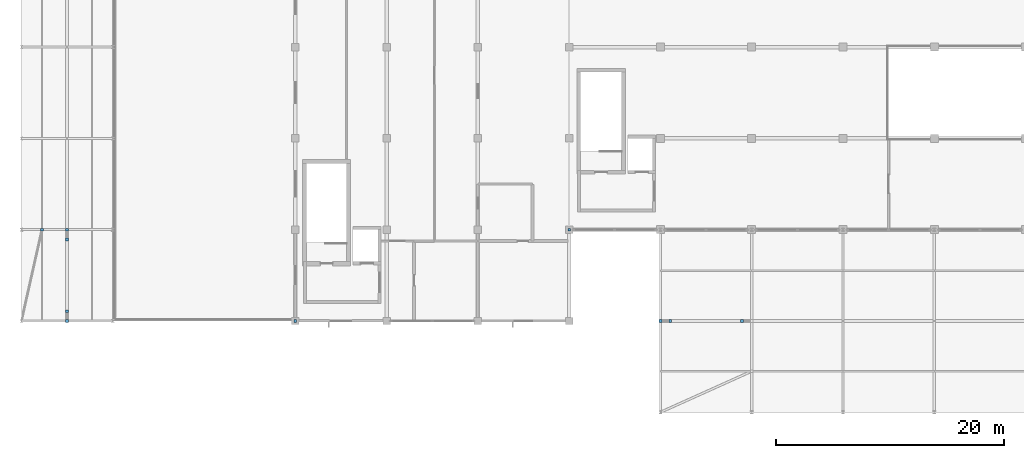
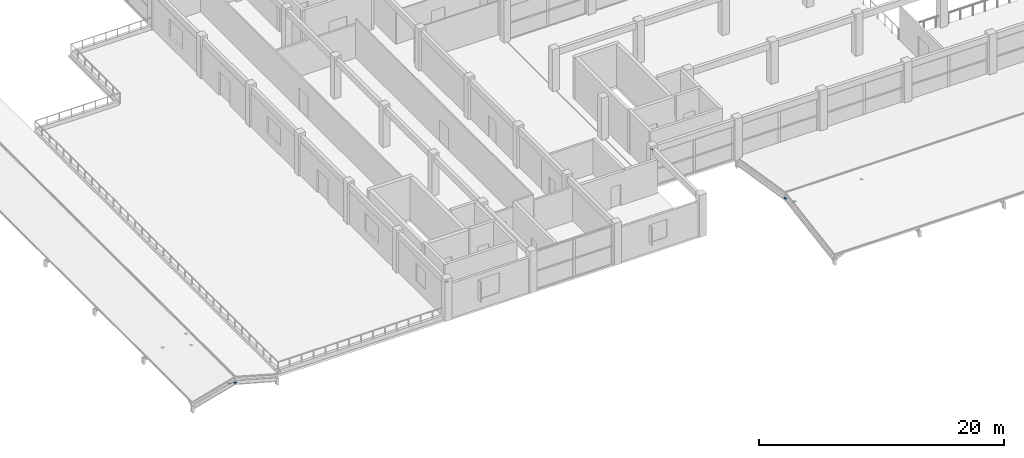
# One storey, part 51 of 67: 10 discrete accessories.
"""IFC4 building model written with IfcOpenShell, lengths in metres."""

from ifc_helpers import new_model, si_unit, direction, frame, origin, origin_2d, place, context, subcontext, project, spatial, rectangle, extrude, material, type_object, element, save


model = new_model("IFC4")

# Units and contexts
model_context = context("Model", 3, precision=1e-05, world=origin(), true_north=direction((0.0, 1.0)))
body_context = subcontext(model_context, "Body", "Model", "MODEL_VIEW")
ifc_project = project(units=[si_unit("LENGTHUNIT", "METRE"), si_unit("AREAUNIT", "SQUARE_METRE"), si_unit("VOLUMEUNIT", "CUBIC_METRE"), si_unit("PLANEANGLEUNIT", "RADIAN"), si_unit("MASSUNIT", "GRAM", prefix="KILO")], contexts=[model_context])

# Site, building, storey
site_placement = place(None, origin())
site = spatial("IfcSite", under=ifc_project, at=site_placement, CompositionType="ELEMENT")
building_placement = place(site_placement, origin())
building = spatial("IfcBuilding", under=site, at=building_placement, Name="Kenh Van Central Station", CompositionType="ELEMENT")
storey_placement = place(building_placement, frame((0.0, 0.0, 10.800048828125)))
storey = spatial("IfcBuildingStorey", under=building, at=storey_placement, Name="L02", CompositionType="ELEMENT", Elevation=10.800048828125)

# Discrete accessories
ifc_material = material(Name="Structural steel S355JR", Category="steel")
discrete_accessory_type = type_object("IfcDiscreteAccessoryType", Name="ACC-END-NODE", PredefinedType="BRACKET", material=ifc_material)
for number, where, z_axis, x_axis, name in (
    (1, (56.85009765625, 8.0, 0.222412109375), (0.0, 0.0, 1.0), (1.0, 0.0, 0.0), "L02 brace end connection node plate 0314"),
    (2, (56.0, 8.0, 0.84228515625), (0.0, 0.0, 1.0), (1.0, 0.0, 0.0), "L02 brace end connection node plate 0316"),
    (3, (63.14990234375, 8.0, 0.222412109375), (0.0, 0.0, 1.0), (1.0, 0.0, 0.0), "L02 brace end connection node plate 0317"),
    (4, (48.0, 16.0, 3.685791015625), (0.0, 0.0, 1.0), (1.0, 0.0, 0.0), "L02 brace end connection node plate 0322"),
    (5, (24.0, 8.0, 3.70703125), (0.0, 0.0, 1.0), (1.0, 0.0, 0.0), "L02 brace end connection node plate 0350"),
    (6, (1.800048828125, 16.0, 0.05322265625), (0.0, 0.0, 1.0), (1.0, 0.0, 0.0), "L02 brace end connection node plate 0369"),
    (7, (4.0, 8.85009765625, 0.038330078125), (0.0, 0.0, 1.0), (1.0, 0.0, 0.0), "L02 brace end connection node plate 0370"),
    (8, (4.0, 8.0, 0.658203125), (0.0, 0.0, 1.0), (1.0, 0.0, 0.0), "L02 brace end connection node plate 0372"),
    (9, (4.0, 15.14990234375, 0.038330078125), (0.0, 0.0, 1.0), (1.0, 0.0, 0.0), "L02 brace end connection node plate 0373"),
    (10, (4.0, 16.0, 0.658203125), (0.0, 0.0, 1.0), (1.0, 0.0, 0.0), "L02 brace end connection node plate 0374"),
):
    element("IfcDiscreteAccessory", number, at=place(storey_placement, frame(where, z_axis=z_axis, x_axis=x_axis)), inside=storey, type_object=discrete_accessory_type, Name=name, PredefinedType="BRACKET", context=body_context, shape_type="SweptSolid", body=[
        extrude(rectangle(XDim=0.239990234375, YDim=0.239990234375, at=origin_2d()), origin(), (0.0, 0.0, 1.0), 0.02490234375),
    ])

save(model, "model.ifc")
